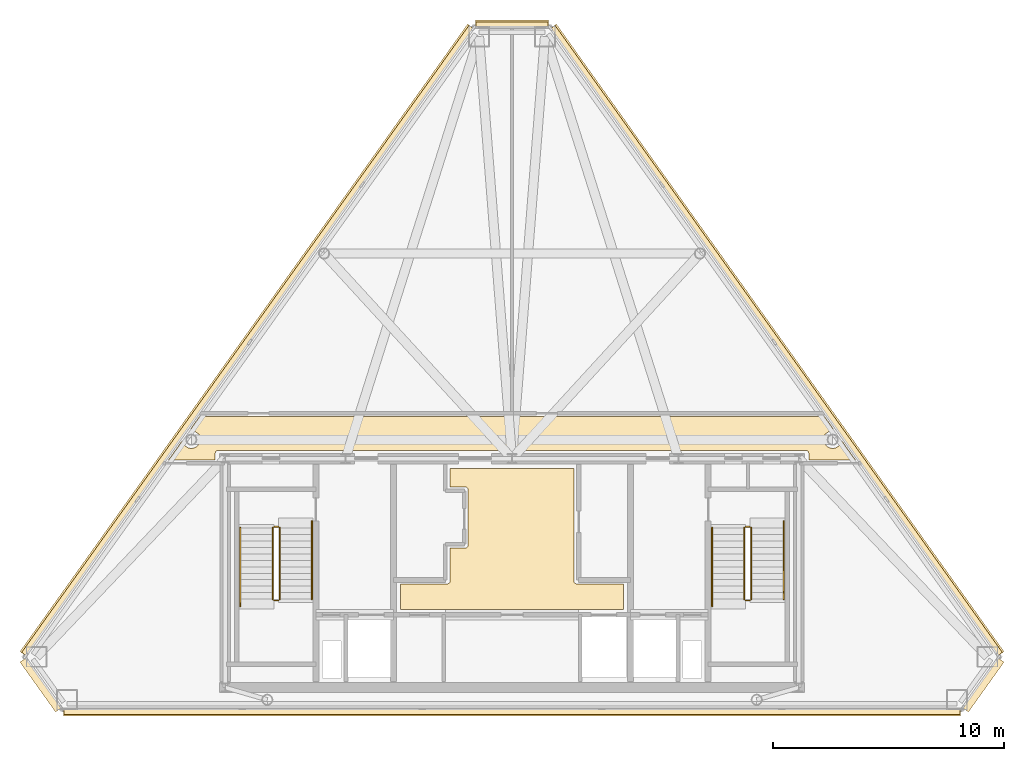
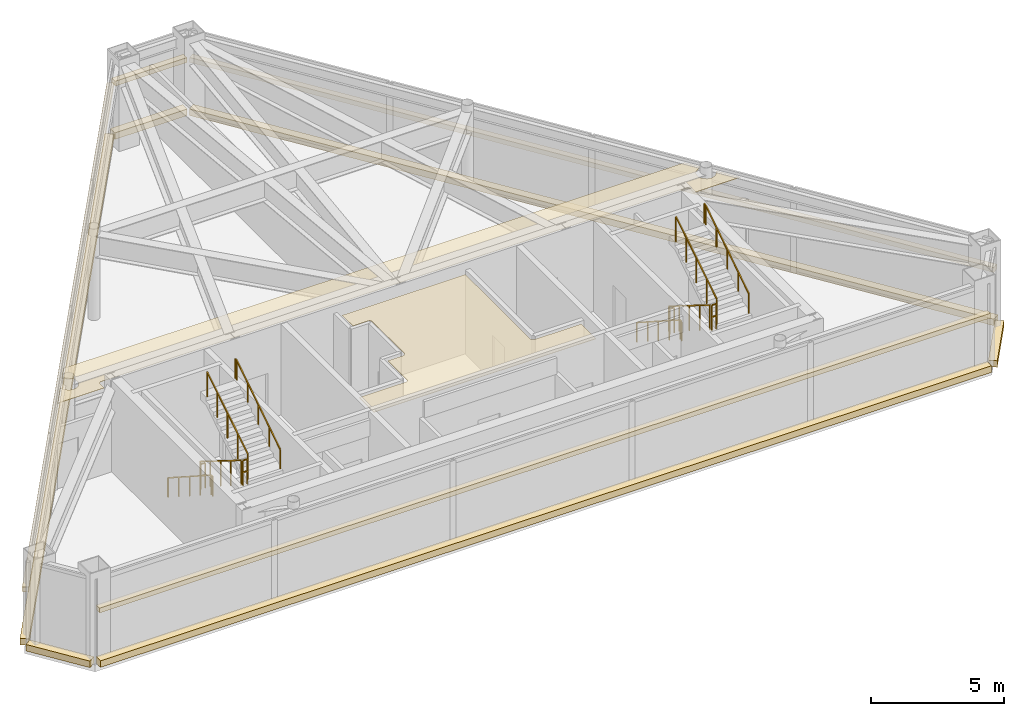
# One storey, part 5 of 5: 12 coverings, 12 railings.
"""IFC4 building model written with IfcOpenShell, lengths in metres."""

from ifc_helpers import new_model, si_unit, direction, frame, origin, origin_2d, place, context, subcontext, project, spatial, polyline, rectangle, outline, extrude, material, layer, layer_set, type_object, element, save


model = new_model("IFC4")

# Units and contexts
model_context = context("Model", 3, precision=1e-05, world=origin(), true_north=direction((0.0, 1.0)))
body_context = subcontext(model_context, "Body", "Model", "MODEL_VIEW")
ifc_project = project(units=[si_unit("LENGTHUNIT", "METRE"), si_unit("AREAUNIT", "SQUARE_METRE"), si_unit("VOLUMEUNIT", "CUBIC_METRE"), si_unit("PLANEANGLEUNIT", "RADIAN"), si_unit("MASSUNIT", "GRAM", prefix="KILO")], contexts=[model_context])

# Site, building, storey
site_placement = place(None, origin())
site = spatial("IfcSite", under=ifc_project, at=site_placement, CompositionType="ELEMENT")
building_placement = place(site_placement, origin())
building = spatial("IfcBuilding", under=site, at=building_placement, Name="Talgorran Terracotta Tower", CompositionType="ELEMENT")
storey_placement = place(building_placement, frame((0.0, 0.0, 301.800048828125)))
storey = spatial("IfcBuildingStorey", under=building, at=storey_placement, Name="L79", CompositionType="ELEMENT", Elevation=301.800048828125)

# Coverings
ifc_material_1 = material(Name="Kiln-Fired Terracotta Ochre Ceramic", Category="masonry")
ifc_layer_1 = layer(ifc_material_1, 0.179931640625, Name="COV_BAGUETTE_TERRACOTTA_SCREEN")
ifc_layer_set_1 = layer_set([ifc_layer_1], Name="Kiln-Fired Terracotta Ochre Ceramic")
covering_type_1 = type_object("IfcCoveringType", Name="COV_BAGUETTE_TERRACOTTA_SCREEN", PredefinedType="CLADDING", material=ifc_layer_set_1)
covering_1_placement = place(storey_placement, frame((0.0, -15.1298828125, 2.41015625), z_axis=(0.0, 0.0, 1.0), x_axis=(1.0, 0.0, 0.0)))
element("IfcCovering", 1, at=covering_1_placement, inside=storey, type_object=covering_type_1, Name="L79 Terracotta Baguette Solar Screen Assembly F1", PredefinedType="CLADDING", context=body_context, shape_type="SweptSolid", body=[
    extrude(rectangle(XDim=38.758056640625, YDim=0.260009765625, at=origin_2d()), origin(), (0.0, 0.0, 1.0), 0.219970703125),
])
covering_2_placement = place(storey_placement, frame((11.4267578125, 0.898193359375, 2.41015625), z_axis=(0.0, 0.0, 1.0), x_axis=(-0.580759790281, 0.814074975658, 0.0)))
element("IfcCovering", 2, at=covering_2_placement, inside=storey, type_object=covering_type_1, Name="L79 Terracotta Baguette Solar Screen Assembly F3", PredefinedType="CLADDING", context=body_context, shape_type="SweptSolid", body=[
    extrude(rectangle(XDim=33.30810546875, YDim=0.260009765625, at=origin_2d()), origin(), (0.0, 0.0, 1.0), 0.219970703125),
])
covering_3_placement = place(storey_placement, frame((0.0, 14.5546875, 2.41015625), z_axis=(0.0, 0.0, 1.0), x_axis=(-1.0, 0.0, 0.0)))
element("IfcCovering", 3, at=covering_3_placement, inside=storey, type_object=covering_type_1, Name="L79 Terracotta Baguette Solar Screen Assembly F4", PredefinedType="CLADDING", context=body_context, shape_type="SweptSolid", body=[
    extrude(rectangle(XDim=3.12548828125, YDim=0.260009765625, at=origin_2d()), origin(), (0.0, 0.0, 1.0), 0.219970703125),
])
covering_4_placement = place(storey_placement, frame((-11.4267578125, 0.898193359375, 2.41015625), z_axis=(0.0, 0.0, 1.0), x_axis=(-0.580759790281, -0.814074975658, 0.0)))
element("IfcCovering", 4, at=covering_4_placement, inside=storey, type_object=covering_type_1, Name="L79 Terracotta Baguette Solar Screen Assembly F5", PredefinedType="CLADDING", context=body_context, shape_type="SweptSolid", body=[
    extrude(rectangle(XDim=33.30810546875, YDim=0.260009765625, at=origin_2d()), origin(), (0.0, 0.0, 1.0), 0.219970703125),
])
ifc_material_2 = material(Name="Mineral Fibre Acoustic Tile")
ifc_layer_2 = layer(ifc_material_2, 0.02490234375, Name="COV_CEIL_ACOUSTIC")
ifc_layer_set_2 = layer_set([ifc_layer_2], Name="Mineral Fibre Acoustic Tile")
covering_type_2 = type_object("IfcCoveringType", Name="COV_CEIL_ACOUSTIC", PredefinedType="CEILING", material=ifc_layer_set_2)
covering_5_placement = place(storey_placement, frame((0.0, 0.0, 3.7900390625)))
element("IfcCovering", 5, at=covering_5_placement, inside=storey, type_object=covering_type_2, Name="CEIL-L79-2", PredefinedType="CEILING", context=body_context, shape_type="SweptSolid", body=[
    extrude(outline(polyline([(-13.5185546875, -3.23828125), (-13.517822265625, -3.2294921875), (-13.51806640625, -3.2177734375), (-13.519287109375, -3.2060546875), (-13.52197265625, -3.194580078125), (-13.525634765625, -3.183349609375), (-13.5302734375, -3.172607421875), (-13.535888671875, -3.162109375), (-13.542724609375, -3.152587890625), (-13.55029296875, -3.1435546875), (-13.558837890625, -3.135498046875), (-13.568115234375, -3.128173828125), (-13.885498046875, -2.901611328125), (-13.51708984375, -2.385009765625), (13.51708984375, -2.385009765625), (13.885498046875, -2.901611328125), (13.568115234375, -3.128173828125), (13.558837890625, -3.135498046875), (13.55029296875, -3.1435546875), (13.542724609375, -3.152587890625), (13.535888671875, -3.162109375), (13.5302734375, -3.172607421875), (13.525634765625, -3.183349609375), (13.52197265625, -3.194580078125), (13.519287109375, -3.2060546875), (13.51806640625, -3.2177734375), (13.517822265625, -3.2294921875), (13.5185546875, -3.23828125), (13.51806640625, -3.239501953125), (13.51416015625, -3.250732421875), (13.51123046875, -3.26220703125), (13.491455078125, -3.361083984375), (13.48974609375, -3.37255859375), (13.4892578125, -3.384521484375), (13.48974609375, -3.396240234375), (13.491455078125, -3.40771484375), (13.51123046875, -3.506591796875), (13.51416015625, -3.51806640625), (13.51806640625, -3.529296875), (13.523193359375, -3.539794921875), (13.529052734375, -3.5498046875), (13.585205078125, -3.6337890625), (13.592041015625, -3.643310546875), (13.60009765625, -3.652099609375), (13.60888671875, -3.659912109375), (13.618408203125, -3.6669921875), (13.7021484375, -3.722900390625), (13.71240234375, -3.72900390625), (13.722900390625, -3.734130859375), (13.73388671875, -3.738037109375), (13.745361328125, -3.740966796875), (13.84423828125, -3.760498046875), (13.85595703125, -3.76220703125), (13.86767578125, -3.762939453125), (13.87939453125, -3.76220703125), (13.89111328125, -3.760498046875), (13.989990234375, -3.740966796875), (14.00146484375, -3.738037109375), (14.012451171875, -3.734130859375), (14.023193359375, -3.72900390625), (14.033203125, -3.722900390625), (14.1171875, -3.6669921875), (14.126708984375, -3.659912109375), (14.135498046875, -3.652099609375), (14.143310546875, -3.643310546875), (14.150390625, -3.6337890625), (14.206298828125, -3.5498046875), (14.21240234375, -3.539794921875), (14.21728515625, -3.529296875), (14.22119140625, -3.51806640625), (14.22412109375, -3.506591796875), (14.226806640625, -3.493408203125), (14.280517578125, -3.455078125), (14.8583984375, -4.264892578125), (12.8349609375, -4.264892578125), (12.8349609375, -3.978515625), (12.834228515625, -3.966796875), (12.83251953125, -3.955078125), (12.829833984375, -3.94384765625), (12.82568359375, -3.9326171875), (12.822509765625, -3.9248046875), (12.817626953125, -3.914306640625), (12.8115234375, -3.904296875), (12.8046875, -3.894775390625), (12.797119140625, -3.88623046875), (12.788330078125, -3.87841796875), (12.779052734375, -3.871337890625), (12.77197265625, -3.866455078125), (12.76171875, -3.860107421875), (12.7509765625, -3.85498046875), (12.73974609375, -3.850830078125), (12.728271484375, -3.847900390625), (12.71630859375, -3.84619140625), (12.704345703125, -3.845703125), (7.432861328125, -3.844970703125), (6.968017578125, -3.843017578125), (6.967529296875, -3.843017578125), (0.232666015625, -3.844970703125), (-0.23193359375, -3.843017578125), (-0.232421875, -3.843017578125), (-6.96728515625, -3.844970703125), (-7.431884765625, -3.843017578125), (-7.4326171875, -3.843017578125), (-12.699951171875, -3.844970703125), (-12.711669921875, -3.845703125), (-12.723388671875, -3.847412109375), (-12.734619140625, -3.85009765625), (-12.742919921875, -3.8525390625), (-12.75390625, -3.8564453125), (-12.7646484375, -3.861572265625), (-12.77490234375, -3.86767578125), (-12.7841796875, -3.87451171875), (-12.79296875, -3.882568359375), (-12.80078125, -3.89111328125), (-12.806396484375, -3.89794921875), (-12.813720703125, -3.907470703125), (-12.819580078125, -3.91748046875), (-12.82470703125, -3.927978515625), (-12.82861328125, -3.939208984375), (-12.83154296875, -3.95068359375), (-12.833251953125, -3.962158203125), (-12.833984375, -3.97412109375), (-12.834716796875, -4.264892578125), (-14.8583984375, -4.264892578125), (-14.280517578125, -3.455078125), (-14.226806640625, -3.493408203125), (-14.22412109375, -3.506591796875), (-14.22119140625, -3.51806640625), (-14.21728515625, -3.529296875), (-14.21240234375, -3.539794921875), (-14.206298828125, -3.5498046875), (-14.150390625, -3.6337890625), (-14.143310546875, -3.643310546875), (-14.135498046875, -3.652099609375), (-14.126708984375, -3.659912109375), (-14.1171875, -3.6669921875), (-14.033203125, -3.722900390625), (-14.023193359375, -3.72900390625), (-14.012451171875, -3.734130859375), (-14.00146484375, -3.738037109375), (-13.989990234375, -3.740966796875), (-13.89111328125, -3.760498046875), (-13.87939453125, -3.76220703125), (-13.86767578125, -3.762939453125), (-13.85595703125, -3.76220703125), (-13.84423828125, -3.760498046875), (-13.745361328125, -3.740966796875), (-13.73388671875, -3.738037109375), (-13.722900390625, -3.734130859375), (-13.71240234375, -3.72900390625), (-13.7021484375, -3.722900390625), (-13.618408203125, -3.6669921875), (-13.60888671875, -3.659912109375), (-13.60009765625, -3.652099609375), (-13.592041015625, -3.643310546875), (-13.585205078125, -3.6337890625), (-13.529052734375, -3.5498046875), (-13.523193359375, -3.539794921875), (-13.51806640625, -3.529296875), (-13.51416015625, -3.51806640625), (-13.51123046875, -3.506591796875), (-13.491455078125, -3.40771484375), (-13.48974609375, -3.396240234375), (-13.4892578125, -3.384521484375), (-13.48974609375, -3.37255859375), (-13.491455078125, -3.361083984375), (-13.51123046875, -3.26220703125), (-13.51416015625, -3.250732421875), (-13.51806640625, -3.239501953125), (-13.5185546875, -3.23828125)])), origin(), (0.0, 0.0, 1.0), 0.02001953125),
])
ifc_material_3 = material(Name="Flush Moisture-Resistant Plaster")
ifc_layer_3 = layer(ifc_material_3, 0.01806640625, Name="COV_CEIL_PLASTER")
ifc_layer_set_3 = layer_set([ifc_layer_3], Name="Flush Moisture-Resistant Plaster")
covering_type_3 = type_object("IfcCoveringType", Name="COV_CEIL_PLASTER", PredefinedType="CEILING", material=ifc_layer_set_3)
covering_6_placement = place(storey_placement, frame((0.0, 0.0, 3.7900390625)))
element("IfcCovering", 6, at=covering_6_placement, inside=storey, type_object=covering_type_3, Name="CEIL-L79-1", PredefinedType="CEILING", context=body_context, shape_type="SweptSolid", body=[
    extrude(outline(polyline([(2.679931640625, -4.6201171875), (2.679931640625, -9.5), (2.6806640625, -9.51171875), (2.682373046875, -9.5234375), (2.685302734375, -9.534912109375), (2.689208984375, -9.5458984375), (2.694091796875, -9.556640625), (2.7001953125, -9.566650390625), (2.707275390625, -9.576171875), (2.715087890625, -9.5849609375), (2.723876953125, -9.5927734375), (2.7333984375, -9.599853515625), (2.743408203125, -9.605712890625), (2.754150390625, -9.61083984375), (2.76513671875, -9.61474609375), (2.776611328125, -9.61767578125), (2.7880859375, -9.619384765625), (2.800048828125, -9.6201171875), (4.830078125, -9.6201171875), (4.830078125, -10.72998046875), (-4.830078125, -10.72998046875), (-4.830078125, -9.6201171875), (-2.800048828125, -9.6201171875), (-2.7880859375, -9.619384765625), (-2.776611328125, -9.61767578125), (-2.76513671875, -9.61474609375), (-2.754150390625, -9.61083984375), (-2.743408203125, -9.605712890625), (-2.7333984375, -9.599853515625), (-2.723876953125, -9.5927734375), (-2.715087890625, -9.5849609375), (-2.707275390625, -9.576171875), (-2.7001953125, -9.566650390625), (-2.694091796875, -9.556640625), (-2.689208984375, -9.5458984375), (-2.685302734375, -9.534912109375), (-2.682373046875, -9.5234375), (-2.6806640625, -9.51171875), (-2.679931640625, -9.5), (-2.679931640625, -8.070068359375), (-2.02001953125, -8.070068359375), (-2.00830078125, -8.0693359375), (-1.99658203125, -8.067626953125), (-1.985107421875, -8.064697265625), (-1.97412109375, -8.060791015625), (-1.96337890625, -8.055908203125), (-1.953369140625, -8.0498046875), (-1.94384765625, -8.042724609375), (-1.93505859375, -8.034912109375), (-1.92724609375, -8.026123046875), (-1.920166015625, -8.0166015625), (-1.914306640625, -8.006591796875), (-1.9091796875, -7.995849609375), (-1.9052734375, -7.98486328125), (-1.90234375, -7.973388671875), (-1.900634765625, -7.9619140625), (-1.89990234375, -7.949951171875), (-1.89990234375, -5.550048828125), (-1.900634765625, -5.5380859375), (-1.90234375, -5.526611328125), (-1.9052734375, -5.51513671875), (-1.9091796875, -5.504150390625), (-1.914306640625, -5.493408203125), (-1.920166015625, -5.4833984375), (-1.92724609375, -5.473876953125), (-1.93505859375, -5.465087890625), (-1.94384765625, -5.457275390625), (-1.953369140625, -5.4501953125), (-1.96337890625, -5.444091796875), (-1.97412109375, -5.439208984375), (-1.985107421875, -5.435302734375), (-1.99658203125, -5.432373046875), (-2.00830078125, -5.4306640625), (-2.02001953125, -5.429931640625), (-2.679931640625, -5.429931640625), (-2.679931640625, -4.6201171875), (2.679931640625, -4.6201171875)])), origin(), (0.0, 0.0, 1.0), 0.02001953125),
])
ifc_material_4 = material(Name="Kiln-Fired Terracotta Cladding", Category="masonry")
ifc_layer_4 = layer(ifc_material_4, 0.090087890625, Name="COV_PORTAL_TERRA")
ifc_layer_set_4 = layer_set([ifc_layer_4], Name="Kiln-Fired Terracotta Cladding")
covering_type_4 = type_object("IfcCoveringType", Name="COV_PORTAL_TERRA", PredefinedType="CLADDING", material=ifc_layer_set_4)
covering_7_placement = place(storey_placement, frame((-20.367431640625, -13.983642578125, -0.0400390625), z_axis=(0.0, 0.0, 1.0), x_axis=(0.580759790281, -0.814074975658, 0.0)))
element("IfcCovering", 7, at=covering_7_placement, inside=storey, type_object=covering_type_4, Name="L79 Striped Postmodern Portal Cladding Band F0", PredefinedType="CLADDING", context=body_context, shape_type="SweptSolid", body=[
    extrude(rectangle(XDim=2.650390625, YDim=0.340087890625, at=origin_2d()), origin(), (0.0, 0.0, 1.0), 0.300048828125),
])
covering_8_placement = place(storey_placement, frame((0.0, -15.169921875, -0.0400390625), z_axis=(0.0, 0.0, 1.0), x_axis=(1.0, 0.0, 0.0)))
element("IfcCovering", 8, at=covering_8_placement, inside=storey, type_object=covering_type_4, Name="L79 Striped Postmodern Portal Cladding Band F1", PredefinedType="CLADDING", context=body_context, shape_type="SweptSolid", body=[
    extrude(rectangle(XDim=38.778076171875, YDim=0.340087890625, at=origin_2d()), origin(), (0.0, 0.0, 1.0), 0.300048828125),
])
covering_9_placement = place(storey_placement, frame((20.367431640625, -13.983642578125, -0.0400390625), z_axis=(0.0, 0.0, 1.0), x_axis=(0.580759790281, 0.814074975658, 0.0)))
element("IfcCovering", 9, at=covering_9_placement, inside=storey, type_object=covering_type_4, Name="L79 Striped Postmodern Portal Cladding Band F2", PredefinedType="CLADDING", context=body_context, shape_type="SweptSolid", body=[
    extrude(rectangle(XDim=2.650390625, YDim=0.340087890625, at=origin_2d()), origin(), (0.0, 0.0, 1.0), 0.300048828125),
])
covering_10_placement = place(storey_placement, frame((11.45947265625, 0.92138671875, -0.0400390625), z_axis=(0.0, 0.0, 1.0), x_axis=(-0.580759790281, 0.814074975658, 0.0)))
element("IfcCovering", 10, at=covering_10_placement, inside=storey, type_object=covering_type_4, Name="L79 Striped Postmodern Portal Cladding Band F3", PredefinedType="CLADDING", context=body_context, shape_type="SweptSolid", body=[
    extrude(rectangle(XDim=33.327880859375, YDim=0.340087890625, at=origin_2d()), origin(), (0.0, 0.0, 1.0), 0.300048828125),
])
covering_11_placement = place(storey_placement, frame((0.0, 14.594482421875, -0.0400390625), z_axis=(0.0, 0.0, 1.0), x_axis=(-1.0, 0.0, 0.0)))
element("IfcCovering", 11, at=covering_11_placement, inside=storey, type_object=covering_type_4, Name="L79 Striped Postmodern Portal Cladding Band F4", PredefinedType="CLADDING", context=body_context, shape_type="SweptSolid", body=[
    extrude(rectangle(XDim=3.1455078125, YDim=0.340087890625, at=origin_2d()), origin(), (0.0, 0.0, 1.0), 0.300048828125),
])
covering_12_placement = place(storey_placement, frame((-11.45947265625, 0.92138671875, -0.0400390625), z_axis=(0.0, 0.0, 1.0), x_axis=(-0.580759790281, -0.814074975658, 0.0)))
element("IfcCovering", 12, at=covering_12_placement, inside=storey, type_object=covering_type_4, Name="L79 Striped Postmodern Portal Cladding Band F5", PredefinedType="CLADDING", context=body_context, shape_type="SweptSolid", body=[
    extrude(rectangle(XDim=33.327880859375, YDim=0.340087890625, at=origin_2d()), origin(), (0.0, 0.0, 1.0), 0.300048828125),
])

# Railings
ifc_material_5 = material(Name="Steel S355 (300PLUS)", Category="steel")
railing_type_1 = type_object("IfcRailingType", Name="RL_HANDRAIL_920", PredefinedType="HANDRAIL", material=ifc_material_5)
railing_1_placement = place(storey_placement, frame((-11.75, -7.199951171875, 0.175048828125)))
element("IfcRailing", 13, at=railing_1_placement, inside=storey, type_object=railing_type_1, Name="L79 ST-01 stair handrail 1", PredefinedType="HANDRAIL", context=body_context, shape_type="SweptSolid", body=[
    extrude(rectangle(XDim=0.048095703125, YDim=0.048095703125, at=origin_2d()), frame((0.0, 0.0, 0.89599609375), z_axis=(0.0, -0.840693329249, 0.541511519874), x_axis=(1.0, 0.0, 0.0)), (0.0, 0.0, 1.0), 3.877685546875),
    extrude(rectangle(XDim=0.048095703125, YDim=0.048095703125, at=origin_2d()), frame((0.0, -3.260009765625, 2.99560546875), z_axis=(0.0, -1.0, 0.0), x_axis=(1.0, 0.0, 0.0)), (0.0, 0.0, 1.0), 0.1201171875),
    extrude(rectangle(XDim=0.0419921875, YDim=0.0419921875, at=origin_2d()), origin(), (0.0, 0.0, 1.0), 0.871826171875),
    extrude(rectangle(XDim=0.0419921875, YDim=0.0419921875, at=origin_2d()), frame((0.0, -0.81494140625, 0.52490234375)), (0.0, 0.0, 1.0), 0.871826171875),
    extrude(rectangle(XDim=0.0419921875, YDim=0.0419921875, at=origin_2d()), frame((0.0, -1.6298828125, 1.0498046875)), (0.0, 0.0, 1.0), 0.871826171875),
    extrude(rectangle(XDim=0.0419921875, YDim=0.0419921875, at=origin_2d()), frame((0.0, -2.445068359375, 1.574951171875)), (0.0, 0.0, 1.0), 0.871826171875),
    extrude(rectangle(XDim=0.0419921875, YDim=0.0419921875, at=origin_2d()), frame((0.0, -3.260009765625, 2.099853515625)), (0.0, 0.0, 1.0), 0.871826171875),
    extrude(rectangle(XDim=0.0419921875, YDim=0.0419921875, at=origin_2d()), frame((0.0, -3.380126953125, 2.099853515625)), (0.0, 0.0, 1.0), 0.871826171875),
])
railing_2_placement = place(storey_placement, frame((-8.64990234375, -10.280029296875, 2.27490234375)))
element("IfcRailing", 14, at=railing_2_placement, inside=storey, type_object=railing_type_1, Name="L79 ST-01 stair handrail 2", PredefinedType="HANDRAIL", context=body_context, shape_type="SweptSolid", body=[
    extrude(rectangle(XDim=0.048095703125, YDim=0.048095703125, at=origin_2d()), frame((0.0, 0.0, 0.89599609375), z_axis=(0.0, 0.84066466721, 0.541556014928), x_axis=(-1.0, 0.0, 0.0)), (0.0, 0.0, 1.0), 3.8779296875),
    extrude(rectangle(XDim=0.048095703125, YDim=0.048095703125, at=origin_2d()), frame((0.0, 3.260009765625, 2.99609375), z_axis=(0.0, 1.0, 0.0), x_axis=(-1.0, 0.0, 0.0)), (0.0, 0.0, 1.0), 0.1201171875),
    extrude(rectangle(XDim=0.0419921875, YDim=0.0419921875, at=origin_2d()), origin(), (0.0, 0.0, 1.0), 0.871826171875),
    extrude(rectangle(XDim=0.0419921875, YDim=0.0419921875, at=origin_2d()), frame((0.0, 0.81494140625, 0.52490234375)), (0.0, 0.0, 1.0), 0.871826171875),
    extrude(rectangle(XDim=0.0419921875, YDim=0.0419921875, at=origin_2d()), frame((0.0, 1.6298828125, 1.050048828125)), (0.0, 0.0, 1.0), 0.871826171875),
    extrude(rectangle(XDim=0.0419921875, YDim=0.0419921875, at=origin_2d()), frame((0.0, 2.445068359375, 1.5751953125)), (0.0, 0.0, 1.0), 0.871826171875),
    extrude(rectangle(XDim=0.0419921875, YDim=0.0419921875, at=origin_2d()), frame((0.0, 3.260009765625, 2.10009765625)), (0.0, 0.0, 1.0), 0.871826171875),
    extrude(rectangle(XDim=0.0419921875, YDim=0.0419921875, at=origin_2d()), frame((0.0, 3.380126953125, 2.10009765625)), (0.0, 0.0, 1.0), 0.871826171875),
])
railing_3_placement = place(storey_placement, frame((8.64990234375, -7.199951171875, 0.175048828125)))
element("IfcRailing", 15, at=railing_3_placement, inside=storey, type_object=railing_type_1, Name="L79 ST-02 stair handrail 1", PredefinedType="HANDRAIL", context=body_context, shape_type="SweptSolid", body=[
    extrude(rectangle(XDim=0.048095703125, YDim=0.048095703125, at=origin_2d()), frame((0.0, 0.0, 0.89599609375), z_axis=(0.0, -0.840693329249, 0.541511519874), x_axis=(1.0, 0.0, 0.0)), (0.0, 0.0, 1.0), 3.877685546875),
    extrude(rectangle(XDim=0.048095703125, YDim=0.048095703125, at=origin_2d()), frame((0.0, -3.260009765625, 2.99560546875), z_axis=(0.0, -1.0, 0.0), x_axis=(1.0, 0.0, 0.0)), (0.0, 0.0, 1.0), 0.1201171875),
    extrude(rectangle(XDim=0.0419921875, YDim=0.0419921875, at=origin_2d()), origin(), (0.0, 0.0, 1.0), 0.871826171875),
    extrude(rectangle(XDim=0.0419921875, YDim=0.0419921875, at=origin_2d()), frame((0.0, -0.81494140625, 0.52490234375)), (0.0, 0.0, 1.0), 0.871826171875),
    extrude(rectangle(XDim=0.0419921875, YDim=0.0419921875, at=origin_2d()), frame((0.0, -1.6298828125, 1.0498046875)), (0.0, 0.0, 1.0), 0.871826171875),
    extrude(rectangle(XDim=0.0419921875, YDim=0.0419921875, at=origin_2d()), frame((0.0, -2.445068359375, 1.574951171875)), (0.0, 0.0, 1.0), 0.871826171875),
    extrude(rectangle(XDim=0.0419921875, YDim=0.0419921875, at=origin_2d()), frame((0.0, -3.260009765625, 2.099853515625)), (0.0, 0.0, 1.0), 0.871826171875),
    extrude(rectangle(XDim=0.0419921875, YDim=0.0419921875, at=origin_2d()), frame((0.0, -3.380126953125, 2.099853515625)), (0.0, 0.0, 1.0), 0.871826171875),
])
railing_4_placement = place(storey_placement, frame((11.75, -10.280029296875, 2.27490234375)))
element("IfcRailing", 16, at=railing_4_placement, inside=storey, type_object=railing_type_1, Name="L79 ST-02 stair handrail 2", PredefinedType="HANDRAIL", context=body_context, shape_type="SweptSolid", body=[
    extrude(rectangle(XDim=0.048095703125, YDim=0.048095703125, at=origin_2d()), frame((0.0, 0.0, 0.89599609375), z_axis=(0.0, 0.84066466721, 0.541556014928), x_axis=(-1.0, 0.0, 0.0)), (0.0, 0.0, 1.0), 3.8779296875),
    extrude(rectangle(XDim=0.048095703125, YDim=0.048095703125, at=origin_2d()), frame((0.0, 3.260009765625, 2.99609375), z_axis=(0.0, 1.0, 0.0), x_axis=(-1.0, 0.0, 0.0)), (0.0, 0.0, 1.0), 0.1201171875),
    extrude(rectangle(XDim=0.0419921875, YDim=0.0419921875, at=origin_2d()), origin(), (0.0, 0.0, 1.0), 0.871826171875),
    extrude(rectangle(XDim=0.0419921875, YDim=0.0419921875, at=origin_2d()), frame((0.0, 0.81494140625, 0.52490234375)), (0.0, 0.0, 1.0), 0.871826171875),
    extrude(rectangle(XDim=0.0419921875, YDim=0.0419921875, at=origin_2d()), frame((0.0, 1.6298828125, 1.050048828125)), (0.0, 0.0, 1.0), 0.871826171875),
    extrude(rectangle(XDim=0.0419921875, YDim=0.0419921875, at=origin_2d()), frame((0.0, 2.445068359375, 1.5751953125)), (0.0, 0.0, 1.0), 0.871826171875),
    extrude(rectangle(XDim=0.0419921875, YDim=0.0419921875, at=origin_2d()), frame((0.0, 3.260009765625, 2.10009765625)), (0.0, 0.0, 1.0), 0.871826171875),
    extrude(rectangle(XDim=0.0419921875, YDim=0.0419921875, at=origin_2d()), frame((0.0, 3.380126953125, 2.10009765625)), (0.0, 0.0, 1.0), 0.871826171875),
])
railing_type_2 = type_object("IfcRailingType", Name="RL_STAIR_GUARD", PredefinedType="GUARDRAIL", material=ifc_material_5)
railing_5_placement = place(storey_placement, frame((-10.35009765625, -7.199951171875, 0.175048828125)))
element("IfcRailing", 17, at=railing_5_placement, inside=storey, type_object=railing_type_2, Name="L79 ST-01 stair guard 1", PredefinedType="GUARDRAIL", context=body_context, shape_type="SweptSolid", body=[
    extrude(rectangle(XDim=0.048095703125, YDim=0.048095703125, at=origin_2d()), frame((0.0, 0.0, 1.15576171875), z_axis=(0.0, -0.848028513186, 0.529950602248), x_axis=(1.0, 0.0, 0.0)), (0.0, 0.0, 1.0), 3.632080078125),
    extrude(rectangle(XDim=0.0419921875, YDim=0.0419921875, at=origin_2d()), origin(), (0.0, 0.0, 1.0), 1.1318359375),
    extrude(rectangle(XDim=0.0419921875, YDim=0.0419921875, at=origin_2d()), frame((0.0, -0.77001953125, 0.481201171875)), (0.0, 0.0, 1.0), 1.1318359375),
    extrude(rectangle(XDim=0.0419921875, YDim=0.0419921875, at=origin_2d()), frame((0.0, -1.5400390625, 0.96240234375)), (0.0, 0.0, 1.0), 1.1318359375),
    extrude(rectangle(XDim=0.0419921875, YDim=0.0419921875, at=origin_2d()), frame((0.0, -2.31005859375, 1.443603515625)), (0.0, 0.0, 1.0), 1.1318359375),
    extrude(rectangle(XDim=0.0419921875, YDim=0.0419921875, at=origin_2d()), frame((0.0, -3.080078125, 1.9248046875)), (0.0, 0.0, 1.0), 1.1318359375),
])
railing_6_placement = place(storey_placement, frame((-10.300048828125, -10.330078125, 2.099853515625)))
element("IfcRailing", 18, at=railing_6_placement, inside=storey, type_object=railing_type_2, Name="L79 ST-01 stair guard 2", PredefinedType="GUARDRAIL", context=body_context, shape_type="SweptSolid", body=[
    extrude(rectangle(XDim=0.048095703125, YDim=0.048095703125, at=origin_2d()), frame((0.0, 0.0, 1.15576171875), z_axis=(1.0, 0.0, 0.0), x_axis=(0.0, 1.0, 0.0)), (0.0, 0.0, 1.0), 0.199951171875),
    extrude(rectangle(XDim=0.048095703125, YDim=0.048095703125, at=origin_2d()), frame((0.0, 0.0, 0.613525390625), z_axis=(1.0, 0.0, 0.0), x_axis=(0.0, 1.0, 0.0)), (0.0, 0.0, 1.0), 0.199951171875),
    extrude(rectangle(XDim=0.0419921875, YDim=0.0419921875, at=origin_2d()), origin(), (0.0, 0.0, 1.0), 1.1318359375),
    extrude(rectangle(XDim=0.0419921875, YDim=0.0419921875, at=origin_2d()), frame((0.199951171875, 0.0, 0.0)), (0.0, 0.0, 1.0), 1.1318359375),
])
railing_7_placement = place(storey_placement, frame((-10.050048828125, -10.280029296875, 2.27490234375)))
element("IfcRailing", 19, at=railing_7_placement, inside=storey, type_object=railing_type_2, Name="L79 ST-01 stair guard 3", PredefinedType="GUARDRAIL", context=body_context, shape_type="SweptSolid", body=[
    extrude(rectangle(XDim=0.048095703125, YDim=0.048095703125, at=origin_2d()), frame((0.0, 0.0, 1.15576171875), z_axis=(0.0, 0.847998304005, 0.529998940003), x_axis=(-1.0, 0.0, 0.0)), (0.0, 0.0, 1.0), 3.632080078125),
    extrude(rectangle(XDim=0.0419921875, YDim=0.0419921875, at=origin_2d()), origin(), (0.0, 0.0, 1.0), 1.1318359375),
    extrude(rectangle(XDim=0.0419921875, YDim=0.0419921875, at=origin_2d()), frame((0.0, 0.77001953125, 0.481201171875)), (0.0, 0.0, 1.0), 1.1318359375),
    extrude(rectangle(XDim=0.0419921875, YDim=0.0419921875, at=origin_2d()), frame((0.0, 1.5400390625, 0.96240234375)), (0.0, 0.0, 1.0), 1.1318359375),
    extrude(rectangle(XDim=0.0419921875, YDim=0.0419921875, at=origin_2d()), frame((0.0, 2.31005859375, 1.44384765625)), (0.0, 0.0, 1.0), 1.1318359375),
    extrude(rectangle(XDim=0.0419921875, YDim=0.0419921875, at=origin_2d()), frame((0.0, 3.080078125, 1.925048828125)), (0.0, 0.0, 1.0), 1.1318359375),
])
railing_8_placement = place(storey_placement, frame((-10.300048828125, -7.14990234375, 0.0)))
element("IfcRailing", 20, at=railing_8_placement, inside=storey, type_object=railing_type_2, Name="L79 ST-01 stair guard 4", PredefinedType="GUARDRAIL", context=body_context, shape_type="SweptSolid", body=[
    extrude(rectangle(XDim=0.048095703125, YDim=0.048095703125, at=origin_2d()), frame((0.0, 0.0, 1.15576171875), z_axis=(1.0, 0.0, 0.0), x_axis=(0.0, 1.0, 0.0)), (0.0, 0.0, 1.0), 0.199951171875),
    extrude(rectangle(XDim=0.048095703125, YDim=0.048095703125, at=origin_2d()), frame((0.0, 0.0, 0.613525390625), z_axis=(1.0, 0.0, 0.0), x_axis=(0.0, 1.0, 0.0)), (0.0, 0.0, 1.0), 0.199951171875),
    extrude(rectangle(XDim=0.0419921875, YDim=0.0419921875, at=origin_2d()), origin(), (0.0, 0.0, 1.0), 1.1318359375),
    extrude(rectangle(XDim=0.0419921875, YDim=0.0419921875, at=origin_2d()), frame((0.199951171875, 0.0, 0.0)), (0.0, 0.0, 1.0), 1.1318359375),
])
railing_9_placement = place(storey_placement, frame((10.050048828125, -7.199951171875, 0.175048828125)))
element("IfcRailing", 21, at=railing_9_placement, inside=storey, type_object=railing_type_2, Name="L79 ST-02 stair guard 1", PredefinedType="GUARDRAIL", context=body_context, shape_type="SweptSolid", body=[
    extrude(rectangle(XDim=0.048095703125, YDim=0.048095703125, at=origin_2d()), frame((0.0, 0.0, 1.15576171875), z_axis=(0.0, -0.848028513186, 0.529950602248), x_axis=(1.0, 0.0, 0.0)), (0.0, 0.0, 1.0), 3.632080078125),
    extrude(rectangle(XDim=0.0419921875, YDim=0.0419921875, at=origin_2d()), origin(), (0.0, 0.0, 1.0), 1.1318359375),
    extrude(rectangle(XDim=0.0419921875, YDim=0.0419921875, at=origin_2d()), frame((0.0, -0.77001953125, 0.481201171875)), (0.0, 0.0, 1.0), 1.1318359375),
    extrude(rectangle(XDim=0.0419921875, YDim=0.0419921875, at=origin_2d()), frame((0.0, -1.5400390625, 0.96240234375)), (0.0, 0.0, 1.0), 1.1318359375),
    extrude(rectangle(XDim=0.0419921875, YDim=0.0419921875, at=origin_2d()), frame((0.0, -2.31005859375, 1.443603515625)), (0.0, 0.0, 1.0), 1.1318359375),
    extrude(rectangle(XDim=0.0419921875, YDim=0.0419921875, at=origin_2d()), frame((0.0, -3.080078125, 1.9248046875)), (0.0, 0.0, 1.0), 1.1318359375),
])
railing_10_placement = place(storey_placement, frame((10.10009765625, -10.330078125, 2.099853515625)))
element("IfcRailing", 22, at=railing_10_placement, inside=storey, type_object=railing_type_2, Name="L79 ST-02 stair guard 2", PredefinedType="GUARDRAIL", context=body_context, shape_type="SweptSolid", body=[
    extrude(rectangle(XDim=0.048095703125, YDim=0.048095703125, at=origin_2d()), frame((0.0, 0.0, 1.15576171875), z_axis=(1.0, 0.0, 0.0), x_axis=(0.0, 1.0, 0.0)), (0.0, 0.0, 1.0), 0.199951171875),
    extrude(rectangle(XDim=0.048095703125, YDim=0.048095703125, at=origin_2d()), frame((0.0, 0.0, 0.613525390625), z_axis=(1.0, 0.0, 0.0), x_axis=(0.0, 1.0, 0.0)), (0.0, 0.0, 1.0), 0.199951171875),
    extrude(rectangle(XDim=0.0419921875, YDim=0.0419921875, at=origin_2d()), origin(), (0.0, 0.0, 1.0), 1.1318359375),
    extrude(rectangle(XDim=0.0419921875, YDim=0.0419921875, at=origin_2d()), frame((0.199951171875, 0.0, 0.0)), (0.0, 0.0, 1.0), 1.1318359375),
])
railing_11_placement = place(storey_placement, frame((10.35009765625, -10.280029296875, 2.27490234375)))
element("IfcRailing", 23, at=railing_11_placement, inside=storey, type_object=railing_type_2, Name="L79 ST-02 stair guard 3", PredefinedType="GUARDRAIL", context=body_context, shape_type="SweptSolid", body=[
    extrude(rectangle(XDim=0.048095703125, YDim=0.048095703125, at=origin_2d()), frame((0.0, 0.0, 1.15576171875), z_axis=(0.0, 0.847998304005, 0.529998940003), x_axis=(-1.0, 0.0, 0.0)), (0.0, 0.0, 1.0), 3.632080078125),
    extrude(rectangle(XDim=0.0419921875, YDim=0.0419921875, at=origin_2d()), origin(), (0.0, 0.0, 1.0), 1.1318359375),
    extrude(rectangle(XDim=0.0419921875, YDim=0.0419921875, at=origin_2d()), frame((0.0, 0.77001953125, 0.481201171875)), (0.0, 0.0, 1.0), 1.1318359375),
    extrude(rectangle(XDim=0.0419921875, YDim=0.0419921875, at=origin_2d()), frame((0.0, 1.5400390625, 0.96240234375)), (0.0, 0.0, 1.0), 1.1318359375),
    extrude(rectangle(XDim=0.0419921875, YDim=0.0419921875, at=origin_2d()), frame((0.0, 2.31005859375, 1.44384765625)), (0.0, 0.0, 1.0), 1.1318359375),
    extrude(rectangle(XDim=0.0419921875, YDim=0.0419921875, at=origin_2d()), frame((0.0, 3.080078125, 1.925048828125)), (0.0, 0.0, 1.0), 1.1318359375),
])
railing_12_placement = place(storey_placement, frame((10.10009765625, -7.14990234375, 0.0)))
element("IfcRailing", 24, at=railing_12_placement, inside=storey, type_object=railing_type_2, Name="L79 ST-02 stair guard 4", PredefinedType="GUARDRAIL", context=body_context, shape_type="SweptSolid", body=[
    extrude(rectangle(XDim=0.048095703125, YDim=0.048095703125, at=origin_2d()), frame((0.0, 0.0, 1.15576171875), z_axis=(1.0, 0.0, 0.0), x_axis=(0.0, 1.0, 0.0)), (0.0, 0.0, 1.0), 0.199951171875),
    extrude(rectangle(XDim=0.048095703125, YDim=0.048095703125, at=origin_2d()), frame((0.0, 0.0, 0.613525390625), z_axis=(1.0, 0.0, 0.0), x_axis=(0.0, 1.0, 0.0)), (0.0, 0.0, 1.0), 0.199951171875),
    extrude(rectangle(XDim=0.0419921875, YDim=0.0419921875, at=origin_2d()), origin(), (0.0, 0.0, 1.0), 1.1318359375),
    extrude(rectangle(XDim=0.0419921875, YDim=0.0419921875, at=origin_2d()), frame((0.199951171875, 0.0, 0.0)), (0.0, 0.0, 1.0), 1.1318359375),
])

save(model, "model.ifc")
